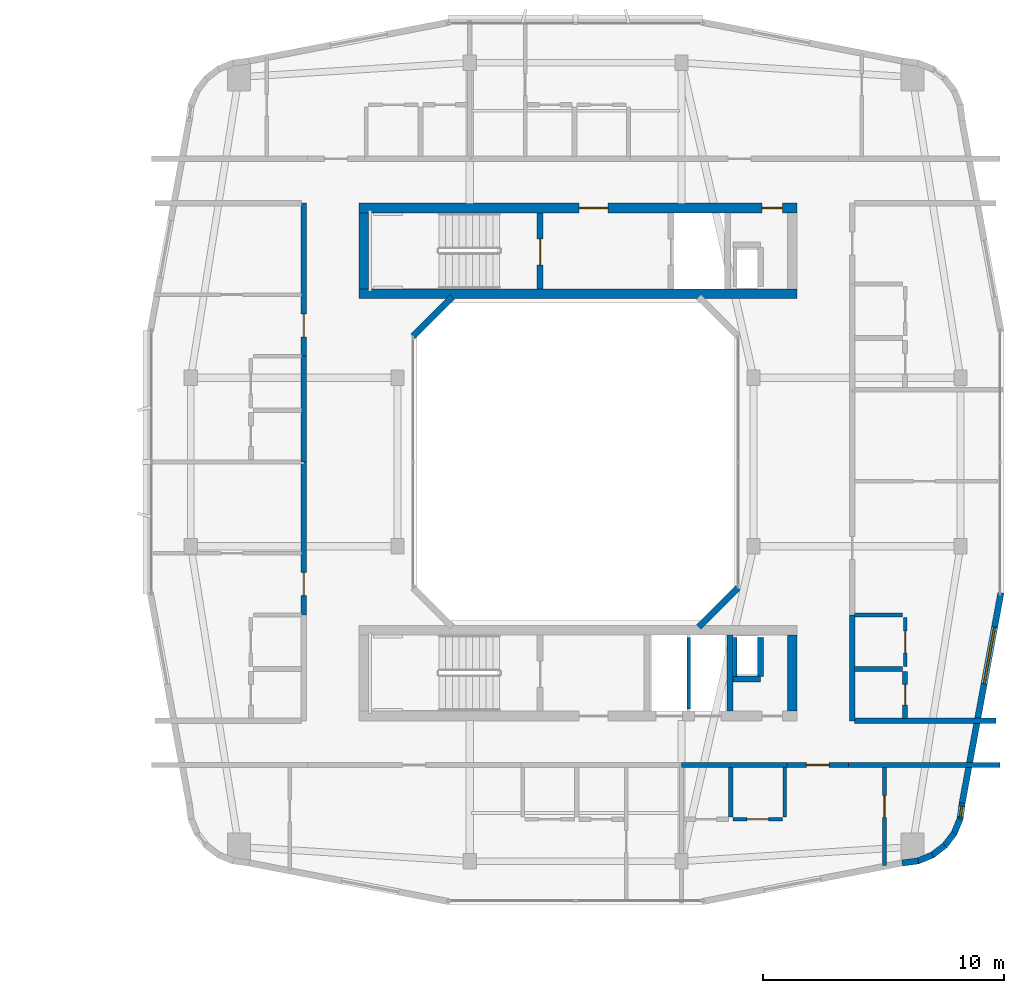
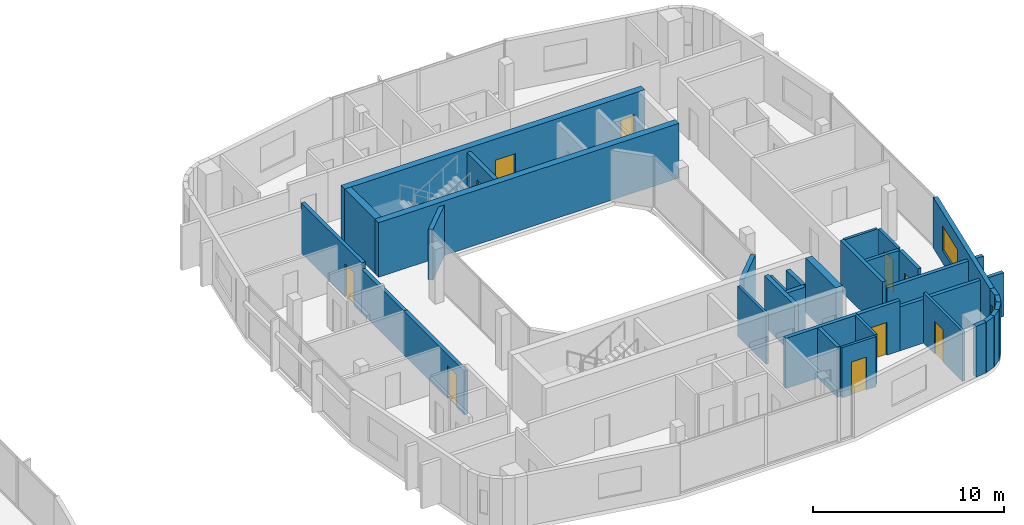
# One storey, part 18 of 26: 35 walls, 10 doors, 2 windows, 12 openings.
"""IFC4 building model written with IfcOpenShell, lengths in metres."""

from ifc_helpers import new_model, si_unit, derived_unit, direction, frame, frame_2d, origin, place, context, subcontext, project, spatial, rectangle, extrude, material, layer, layer_set, type_object, element, fill, save


model = new_model("IFC4")

# Units and contexts
model_context = context("Model", 3, precision=1e-05, world=origin(), true_north=direction((0.0, 1.0)))
body_context = subcontext(model_context, "Body", "Model", "MODEL_VIEW")
ifc_project = project(units=[si_unit("LENGTHUNIT", "METRE"), si_unit("AREAUNIT", "SQUARE_METRE"), si_unit("VOLUMEUNIT", "CUBIC_METRE"), si_unit("PLANEANGLEUNIT", "RADIAN"), si_unit("MASSUNIT", "GRAM", prefix="KILO"), derived_unit("THERMALTRANSMITTANCEUNIT", [(si_unit("POWERUNIT", "WATT"), 1), (si_unit("LENGTHUNIT", "METRE"), -2), (si_unit("THERMODYNAMICTEMPERATUREUNIT", "KELVIN"), -1)])], contexts=[model_context])

# Site, building, storey
site_placement = place(None, origin())
site = spatial("IfcSite", under=ifc_project, at=site_placement, CompositionType="ELEMENT")
building_placement = place(site_placement, origin())
building = spatial("IfcBuilding", under=site, at=building_placement, Name="Kivonza Crest Hotel", CompositionType="ELEMENT")
storey_placement = place(building_placement, frame((0.0, 0.0, 127.5)))
storey = spatial("IfcBuildingStorey", under=building, at=storey_placement, Name="L34", CompositionType="ELEMENT", Elevation=127.5)

# Walls
ifc_material_1 = material(Name="Autoclaved aerated concrete blockwork", Category="masonry")
ifc_layer_1 = layer(ifc_material_1, 0.219970703125)
ifc_layer_set_1 = layer_set([ifc_layer_1], Name="Autoclaved aerated concrete blockwork")
wall_type_1 = type_object("IfcWallType", Name="WL-ACOU-220", PredefinedType="SOLIDWALL", material=ifc_layer_set_1)
wall_1_placement = place(storey_placement, frame((81.39990234375, 12.39990234375, 0.0), z_axis=(0.0, 0.0, 1.0), x_axis=(1.0, 0.0, 0.0)))
element("IfcWall", 1, at=wall_1_placement, inside=storey, type_object=wall_type_1, Name="L34 interior partition WA-L34-A04-LCORR", PredefinedType="SOLIDWALL", context=body_context, shape_type="SweptSolid", body=[
    extrude(rectangle(XDim=4.380126953125, YDim=0.219970703125, at=frame_2d((2.18994140625, 0.0))), origin(), (0.0, 0.0, 1.0), 3.219970703125),
])
wall_2_placement = place(storey_placement, frame((88.35009765625, 12.39990234375, 0.0), z_axis=(0.0, 0.0, 1.0), x_axis=(1.0, 0.0, 0.0)))
element("IfcWall", 2, at=wall_2_placement, inside=storey, type_object=wall_type_1, Name="L34 interior partition WA-L34-A04-RCORR", PredefinedType="SOLIDWALL", context=body_context, shape_type="SweptSolid", body=[
    extrude(rectangle(XDim=6.289794921875, YDim=0.219970703125, at=frame_2d((3.14501953125, 0.0))), origin(), (0.0, 0.0, 1.0), 2.81494140625),
])

# Wall, opening, door
wall_3_placement = place(storey_placement, frame((85.780029296875, 12.39990234375, 0.0), z_axis=(0.0, 0.0, 1.0), x_axis=(1.0, 0.0, 0.0)))
wall_3 = element("IfcWall", 3, at=wall_3_placement, inside=storey, type_object=wall_type_1, Name="L34 interior partition WA-L34-A04-MCORR", PredefinedType="SOLIDWALL", context=body_context, shape_type="SweptSolid", body=[
    extrude(rectangle(XDim=2.570068359375, YDim=0.219970703125, at=frame_2d((1.28515625, 0.0))), origin(), (0.0, 0.0, 1.0), 3.219970703125),
])
opening_1_placement = place(wall_3_placement, frame((0.81005859375, 0.0, 0.0)))
opening_1 = element("IfcOpeningElement", 4, at=opening_1_placement, cuts=wall_3, Name="Opening DU-60", PredefinedType="OPENING", context=body_context, shape_type="SweptSolid", body=[
    extrude(rectangle(XDim=0.949951171875, YDim=2.10009765625, at=frame_2d((0.47509765625, 1.050048828125))), frame((0.0, 0.1201171875, 0.0), z_axis=(0.0, -1.0, 0.0), x_axis=(1.0, 0.0, 0.0)), (0.0, 0.0, 1.0), 0.239990234375),
])
ifc_material_2 = material(Name="Hardwood timber oak", Category="wood")
door_type_1 = type_object("IfcDoorType", Name="DR-UNIT-950", OperationType="NOTDEFINED", PredefinedType="DOOR", material=ifc_material_2)
door_1_placement = place(opening_1_placement, frame((0.949951171875, 0.0, 0.0), z_axis=(0.0, 0.0, 1.0), x_axis=(-1.0, 0.0, 0.0)))
door_1 = element("IfcDoor", 5, at=door_1_placement, inside=storey, type_object=door_type_1, Name="L34 A04 apartment entrance fire door", OperationType="SINGLE_SWING_RIGHT", OverallHeight=2.10009765625, OverallWidth=0.949951171875, PredefinedType="DOOR", context=body_context, shape_type="SweptSolid", body=[
    extrude(rectangle(XDim=0.949951171875, YDim=2.10009765625, at=frame_2d((0.47509765625, 1.050048828125))), frame((0.0, 0.02490234375, 0.0), z_axis=(0.0, -1.0, 0.0), x_axis=(1.0, 0.0, 0.0)), (0.0, 0.0, 1.0), 0.050048828125),
])
fill(opening_1, door_1)

wall_4_placement = place(storey_placement, frame((65.699951171875, 18.639892578125, 0.0), z_axis=(0.0, 0.0, 1.0), x_axis=(0.0, 1.0, 0.0)))
wall_4 = element("IfcWall", 6, at=wall_4_placement, inside=storey, type_object=wall_type_1, Name="L34 interior partition WA-L34-A05-MCORR", PredefinedType="SOLIDWALL", context=body_context, shape_type="SweptSolid", body=[
    extrude(rectangle(XDim=6.360107421875, YDim=0.219970703125, at=frame_2d((3.18017578125, 0.0))), origin(), (0.0, 0.0, 1.0), 2.81494140625),
])
opening_2_placement = place(wall_4_placement, frame((0.804931640625, 0.0, 0.0)))
opening_2 = element("IfcOpeningElement", 7, at=opening_2_placement, cuts=wall_4, Name="Opening DU-60", PredefinedType="OPENING", context=body_context, shape_type="SweptSolid", body=[
    extrude(rectangle(XDim=0.949951171875, YDim=2.10009765625, at=frame_2d((0.47509765625, 1.050048828125))), frame((0.0, 0.1201171875, 0.0), z_axis=(0.0, -1.0, 0.0), x_axis=(1.0, 0.0, 0.0)), (0.0, 0.0, 1.0), 0.239990234375),
])
door_2_placement = place(opening_2_placement, origin())
door_2 = element("IfcDoor", 8, at=door_2_placement, inside=storey, type_object=door_type_1, Name="L34 A05 apartment entrance fire door", OperationType="SINGLE_SWING_LEFT", OverallHeight=2.10009765625, OverallWidth=0.949951171875, PredefinedType="DOOR", context=body_context, shape_type="SweptSolid", body=[
    extrude(rectangle(XDim=0.949951171875, YDim=2.10009765625, at=frame_2d((0.47509765625, 1.050048828125))), frame((0.0, 0.02490234375, 0.0), z_axis=(0.0, -1.0, 0.0), x_axis=(1.0, 0.0, 0.0)), (0.0, 0.0, 1.0), 0.050048828125),
])
fill(opening_2, door_2)

# Wall
wall_5_placement = place(storey_placement, frame((65.699951171875, 25.0, 0.0), z_axis=(0.0, 0.0, 1.0), x_axis=(0.0, 1.0, 0.0)))
element("IfcWall", 9, at=wall_5_placement, inside=storey, type_object=wall_type_1, Name="L34 interior partition WA-L34-A06-BCORR", PredefinedType="SOLIDWALL", context=body_context, shape_type="SweptSolid", body=[
    extrude(rectangle(XDim=4.39990234375, YDim=0.219970703125, at=frame_2d((2.199951171875, 0.0))), origin(), (0.0, 0.0, 1.0), 2.81494140625),
])

# Wall, opening, door
wall_6_placement = place(storey_placement, frame((65.699951171875, 29.39990234375, 0.0), z_axis=(0.0, 0.0, 1.0), x_axis=(0.0, 1.0, 0.0)))
wall_6 = element("IfcWall", 10, at=wall_6_placement, inside=storey, type_object=wall_type_1, Name="L34 interior partition WA-L34-A06-MCORR", PredefinedType="SOLIDWALL", context=body_context, shape_type="SweptSolid", body=[
    extrude(rectangle(XDim=6.360107421875, YDim=0.219970703125, at=frame_2d((3.18017578125, 0.0))), origin(), (0.0, 0.0, 1.0), 3.219970703125),
])
opening_3_placement = place(wall_6_placement, frame((0.804931640625, 0.0, 0.0)))
opening_3 = element("IfcOpeningElement", 11, at=opening_3_placement, cuts=wall_6, Name="Opening DU-60", PredefinedType="OPENING", context=body_context, shape_type="SweptSolid", body=[
    extrude(rectangle(XDim=0.949951171875, YDim=2.10009765625, at=frame_2d((0.47509765625, 1.050048828125))), frame((0.0, 0.1201171875, 0.0), z_axis=(0.0, -1.0, 0.0), x_axis=(1.0, 0.0, 0.0)), (0.0, 0.0, 1.0), 0.239990234375),
])
door_3_placement = place(opening_3_placement, origin())
door_3 = element("IfcDoor", 12, at=door_3_placement, inside=storey, type_object=door_type_1, Name="L34 A06 apartment entrance fire door", OperationType="SINGLE_SWING_RIGHT", OverallHeight=2.10009765625, OverallWidth=0.949951171875, PredefinedType="DOOR", context=body_context, shape_type="SweptSolid", body=[
    extrude(rectangle(XDim=0.949951171875, YDim=2.10009765625, at=frame_2d((0.47509765625, 1.050048828125))), frame((0.0, 0.02490234375, 0.0), z_axis=(0.0, -1.0, 0.0), x_axis=(1.0, 0.0, 0.0)), (0.0, 0.0, 1.0), 0.050048828125),
])
fill(opening_3, door_3)

# Walls
wall_7_placement = place(storey_placement, frame((88.60009765625, 14.239990234375, 0.0), z_axis=(0.0, 0.0, 1.0), x_axis=(1.0, 0.0, 0.0)))
element("IfcWall", 13, at=wall_7_placement, inside=storey, type_object=wall_type_1, Name="L34 interior partition WA-L34-T2E-ENDS", PredefinedType="SOLIDWALL", context=body_context, shape_type="SweptSolid", body=[
    extrude(rectangle(XDim=5.8798828125, YDim=0.219970703125, at=frame_2d((2.93994140625, 0.0))), origin(), (0.0, 0.0, 1.0), 2.81494140625),
])
wall_8_placement = place(storey_placement, frame((88.5, 14.239990234375, 0.0), z_axis=(0.0, 0.0, 1.0), x_axis=(0.0, 1.0, 0.0)))
element("IfcWall", 14, at=wall_8_placement, inside=storey, type_object=wall_type_1, Name="L34 interior partition WA-L34-A07-BCORR", PredefinedType="SOLIDWALL", context=body_context, shape_type="SweptSolid", body=[
    extrude(rectangle(XDim=4.39990234375, YDim=0.219970703125, at=frame_2d((2.199951171875, 0.0))), origin(), (0.0, 0.0, 1.0), 3.219970703125),
])
ifc_material_3 = material(Name="Concrete C50/60", Category="concrete")
ifc_layer_2 = layer(ifc_material_3, 0.39990234375)
ifc_layer_set_2 = layer_set([ifc_layer_2], Name="Concrete C50/60")
wall_type_2 = type_object("IfcWallType", Name="WL-CORE-400", PredefinedType="SHEAR", material=ifc_layer_set_2)
wall_9_placement = place(storey_placement, frame((68.0, 32.0, 0.0), z_axis=(0.0, 0.0, 1.0), x_axis=(1.0, 0.0, 0.0)))
element("IfcWall", 15, at=wall_9_placement, inside=storey, type_object=wall_type_2, Name="Core wall T2-N South L34", PredefinedType="SHEAR", context=body_context, shape_type="SweptSolid", body=[
    extrude(rectangle(XDim=18.199951171875, YDim=0.39990234375, at=frame_2d((9.10009765625, 0.0))), origin(), (0.0, 0.0, 1.0), 3.5),
])

# Wall, openings, doors
wall_10_placement = place(storey_placement, frame((68.0, 35.56005859375, 0.0), z_axis=(0.0, 0.0, 1.0), x_axis=(1.0, 0.0, 0.0)))
wall_10 = element("IfcWall", 16, at=wall_10_placement, inside=storey, type_object=wall_type_2, Name="Core wall T2-N North L34", PredefinedType="SHEAR", context=body_context, shape_type="SweptSolid", body=[
    extrude(rectangle(XDim=18.199951171875, YDim=0.39990234375, at=frame_2d((9.10009765625, 0.0))), origin(), (0.0, 0.0, 1.0), 3.5),
])
opening_4_placement = place(wall_10_placement, frame((9.14990234375, 0.0, 0.0)))
opening_4 = element("IfcOpeningElement", 17, at=opening_4_placement, cuts=wall_10, Name="Opening DF-60", PredefinedType="OPENING", context=body_context, shape_type="SweptSolid", body=[
    extrude(rectangle(XDim=1.199951171875, YDim=2.14990234375, at=frame_2d((0.60009765625, 1.074951171875))), frame((0.0, 0.2099609375, 0.0), z_axis=(0.0, -1.0, 0.0), x_axis=(1.0, 0.0, 0.0)), (0.0, 0.0, 1.0), 0.419921875),
])
opening_5_placement = place(wall_10_placement, frame((16.75, 0.0, 0.0)))
opening_5 = element("IfcOpeningElement", 18, at=opening_5_placement, cuts=wall_10, Name="Opening DF-60R", PredefinedType="OPENING", context=body_context, shape_type="SweptSolid", body=[
    extrude(rectangle(XDim=0.85009765625, YDim=2.10009765625, at=frame_2d((0.425048828125, 1.050048828125))), frame((0.0, 0.2099609375, 0.0), z_axis=(0.0, -1.0, 0.0), x_axis=(1.0, 0.0, 0.0)), (0.0, 0.0, 1.0), 0.419921875),
])
door_type_2 = type_object("IfcDoorType", Name="DR-FD60-1200", OperationType="NOTDEFINED", PredefinedType="DOOR", material=ifc_material_2)
door_4_placement = place(opening_4_placement, origin())
door_4 = element("IfcDoor", 19, at=door_4_placement, inside=storey, type_object=door_type_2, Name="L34 T2-N firefighting lobby fire door", OperationType="SINGLE_SWING_RIGHT", OverallHeight=2.14990234375, OverallWidth=1.199951171875, PredefinedType="DOOR", context=body_context, shape_type="SweptSolid", body=[
    extrude(rectangle(XDim=1.199951171875, YDim=2.14990234375, at=frame_2d((0.60009765625, 1.074951171875))), frame((0.0, 0.02490234375, 0.0), z_axis=(0.0, -1.0, 0.0), x_axis=(1.0, 0.0, 0.0)), (0.0, 0.0, 1.0), 0.050048828125),
])
fill(opening_4, door_4)
door_type_3 = type_object("IfcDoorType", Name="DR-FD60-850", OperationType="NOTDEFINED", PredefinedType="DOOR", material=ifc_material_2)
door_5_placement = place(opening_5_placement, origin())
door_5 = element("IfcDoor", 20, at=door_5_placement, inside=storey, type_object=door_type_3, Name="L34 T2-N core room door", OperationType="SINGLE_SWING_RIGHT", OverallHeight=2.10009765625, OverallWidth=0.85009765625, PredefinedType="DOOR", context=body_context, shape_type="SweptSolid", body=[
    extrude(rectangle(XDim=0.85009765625, YDim=2.10009765625, at=frame_2d((0.425048828125, 1.050048828125))), frame((0.0, 0.02490234375, 0.0), z_axis=(0.0, -1.0, 0.0), x_axis=(1.0, 0.0, 0.0)), (0.0, 0.0, 1.0), 0.050048828125),
])
fill(opening_5, door_5)

# Walls
for number, where, z_axis, x_axis, name in (
    (21, (68.199951171875, 32.199951171875, 0.0), (0.0, 0.0, 1.0), (0.0, 1.0, 0.0), "Core wall T2-N West L34"),
    (22, (86.0, 14.639892578125, 0.0), (0.0, 0.0, 1.0), (0.0, 1.0, 0.0), "Core wall T2-S East L34"),
):
    element("IfcWall", number, at=place(storey_placement, frame(where, z_axis=z_axis, x_axis=x_axis)), inside=storey, type_object=wall_type_2, Name=name, PredefinedType="SHEAR", context=body_context, shape_type="SweptSolid", body=[
        extrude(rectangle(XDim=3.16015625, YDim=0.39990234375, at=frame_2d((1.580078125, 0.0))), origin(), (0.0, 0.0, 1.0), 3.5),
    ])
ifc_material_4 = material(Name="Precast concrete C40/50", Category="concrete")
ifc_layer_3 = layer(ifc_material_4, 0.260009765625)
ifc_layer_set_3 = layer_set([ifc_layer_3], Name="Precast concrete C40/50")
wall_type_3 = type_object("IfcWallType", Name="WL-EXT-260", PredefinedType="STANDARD", material=ifc_layer_set_3)
wall_11_placement = place(storey_placement, frame((90.574951171875, 8.327880859375, 0.0), z_axis=(0.0, 0.0, 1.0), x_axis=(0.991300187529, 0.13162043232, 0.0)))
element("IfcWall", 23, at=wall_11_placement, inside=storey, type_object=wall_type_3, Name="L34 T2 exterior insulated wall 10", PredefinedType="STANDARD", context=body_context, shape_type="SweptSolid", body=[
    extrude(rectangle(XDim=0.677001953125, YDim=0.260009765625, at=frame_2d((0.33837890625, 0.0))), origin(), (0.0, 0.0, 1.0), 3.25),
])
for number, where, z_axis, x_axis, name in (
    (24, (91.199951171875, 8.39892578125, 0.0), (0.0, 0.0, 1.0), (0.924093981904, 0.382165294877, 0.0), "L34 T2 exterior insulated wall 11"),
    (25, (91.801025390625, 8.635986328125, 0.0), (0.0, 0.0, 1.0), (0.792637067512, 0.609693758543, 0.0), "L34 T2 exterior insulated wall 12"),
    (26, (92.320068359375, 9.02099609375, 0.0), (0.0, 0.0, 1.0), (0.609472651958, 0.792807092876, 0.0), "L34 T2 exterior insulated wall 13"),
):
    element("IfcWall", number, at=place(storey_placement, frame(where, z_axis=z_axis, x_axis=x_axis)), inside=storey, type_object=wall_type_3, Name=name, PredefinedType="STANDARD", context=body_context, shape_type="SweptSolid", body=[
        extrude(rectangle(XDim=0.69384765625, YDim=0.260009765625, at=frame_2d((0.346923828125, 0.0))), origin(), (0.0, 0.0, 1.0), 3.25),
    ])
wall_12_placement = place(storey_placement, frame((92.721923828125, 9.527099609375, 0.0), z_axis=(0.0, 0.0, 1.0), x_axis=(0.382289608286, 0.924042561464, 0.0)))
element("IfcWall", 27, at=wall_12_placement, inside=storey, type_object=wall_type_3, Name="L34 T2 exterior insulated wall 14", PredefinedType="STANDARD", context=body_context, shape_type="SweptSolid", body=[
    extrude(rectangle(XDim=0.693603515625, YDim=0.260009765625, at=frame_2d((0.3466796875, 0.0))), origin(), (0.0, 0.0, 1.0), 3.25),
])

# Wall, opening, window
wall_13_placement = place(storey_placement, frame((92.97900390625, 10.118896484375, 0.0), z_axis=(0.0, 0.0, 1.0), x_axis=(0.130614135366, 0.991433279471, 0.0)))
wall_13 = element("IfcWall", 28, at=wall_13_placement, inside=storey, type_object=wall_type_3, Name="L34 T2 exterior insulated wall 15", PredefinedType="STANDARD", context=body_context, shape_type="SweptSolid", body=[
    extrude(rectangle(XDim=0.712158203125, YDim=0.260009765625, at=frame_2d((0.35595703125, 0.0))), origin(), (0.0, 0.0, 1.0), 3.25),
])
opening_6_placement = place(wall_13_placement, frame((0.131103515625, 0.0, 0.85009765625)))
opening_6 = element("IfcOpeningElement", 29, at=opening_6_placement, cuts=wall_13, Name="Opening WN-11", PredefinedType="OPENING", context=body_context, shape_type="SweptSolid", body=[
    extrude(rectangle(XDim=0.449951171875, YDim=1.5, at=frame_2d((0.22509765625, 0.75))), frame((0.0, 0.14013671875, 0.0), z_axis=(0.0, -1.0, 0.0), x_axis=(1.0, 0.0, 0.0)), (0.0, 0.0, 1.0), 0.280029296875),
])
ifc_material_5 = material(Name="Thermally broken bronze aluminium and low-E double glazing", Category="aluminium")
window_type_1 = type_object("IfcWindowType", Name="WN-045x150", PartitioningType="SINGLE_PANEL", PredefinedType="WINDOW", material=ifc_material_5)
window_1_placement = place(opening_6_placement, origin())
window_1 = element("IfcWindow", 30, at=window_1_placement, inside=storey, type_object=window_type_1, Name="L34 corner vision window 7", OverallHeight=1.5, OverallWidth=0.449951171875, PartitioningType="SINGLE_PANEL", PredefinedType="WINDOW", context=body_context, shape_type="SweptSolid", body=[
    extrude(rectangle(XDim=0.449951171875, YDim=1.5, at=frame_2d((0.22509765625, 0.75))), frame((0.0, 0.030029296875, 0.0), z_axis=(0.0, -1.0, 0.0), x_axis=(1.0, 0.0, 0.0)), (0.0, 0.0, 1.0), 0.06005859375),
])
fill(opening_6, window_1)

wall_14_placement = place(storey_placement, frame((93.071044921875, 10.81591796875, 0.0), z_axis=(0.0, 0.0, 1.0), x_axis=(0.181209963057, 0.983444431215, 0.0)))
wall_14 = element("IfcWall", 31, at=wall_14_placement, inside=storey, type_object=wall_type_3, Name="L34 T2 exterior insulated wall 16", PredefinedType="STANDARD", context=body_context, shape_type="SweptSolid", body=[
    extrude(rectangle(XDim=8.889404296875, YDim=0.260009765625, at=frame_2d((4.44482421875, 0.0))), origin(), (0.0, 0.0, 1.0), 3.25),
])
opening_7_placement = place(wall_14_placement, frame((5.044921875, 0.0, 0.800048828125)))
opening_7 = element("IfcOpeningElement", 32, at=opening_7_placement, cuts=wall_14, Name="Opening WN-05", PredefinedType="OPENING", context=body_context, shape_type="SweptSolid", body=[
    extrude(rectangle(XDim=2.39990234375, YDim=1.60009765625, at=frame_2d((1.199951171875, 0.800048828125))), frame((0.0, 0.14013671875, 0.0), z_axis=(0.0, -1.0, 0.0), x_axis=(1.0, 0.0, 0.0)), (0.0, 0.0, 1.0), 0.280029296875),
])
window_type_2 = type_object("IfcWindowType", Name="WN-240x160", PartitioningType="TRIPLE_PANEL_VERTICAL", PredefinedType="WINDOW", material=ifc_material_5)
window_2_placement = place(opening_7_placement, origin())
window_2 = element("IfcWindow", 33, at=window_2_placement, inside=storey, type_object=window_type_2, Name="L34 T2 facade window 16", OverallHeight=1.60009765625, OverallWidth=2.39990234375, PartitioningType="SINGLE_PANEL", PredefinedType="WINDOW", context=body_context, shape_type="SweptSolid", body=[
    extrude(rectangle(XDim=2.39990234375, YDim=1.60009765625, at=frame_2d((1.199951171875, 0.800048828125))), frame((0.0, 0.030029296875, 0.0), z_axis=(0.0, -1.0, 0.0), x_axis=(1.0, 0.0, 0.0)), (0.0, 0.0, 1.0), 0.06005859375),
])
fill(opening_7, window_2)

# Walls
for number, where, z_axis, x_axis, name in (
    (34, (82.1220703125, 18.137939453125, 0.0), (0.0, 0.0, 1.0), (0.707106781187, 0.707106781187, 0.0), "L34 T2 light-well exterior wall 2"),
    (35, (71.8779296875, 31.862060546875, 0.0), (0.0, 0.0, 1.0), (-0.707106781187, -0.707106781187, 0.0), "L34 T2 light-well exterior wall 6"),
):
    element("IfcWall", number, at=place(storey_placement, frame(where, z_axis=z_axis, x_axis=x_axis)), inside=storey, type_object=wall_type_3, Name=name, PredefinedType="STANDARD", context=body_context, shape_type="SweptSolid", body=[
        extrude(rectangle(XDim=2.310791015625, YDim=0.260009765625, at=frame_2d((1.1552734375, 0.0))), origin(), (0.0, 0.0, 1.0), 3.25),
    ])
ifc_material_6 = material(Name="Concrete blockwork fire-compartment wall", Category="masonry")
ifc_layer_4 = layer(ifc_material_6, 0.25)
ifc_layer_set_4 = layer_set([ifc_layer_4], Name="Concrete blockwork fire-compartment wall")
wall_type_4 = type_object("IfcWallType", Name="WL-FIRE-250", PredefinedType="SOLIDWALL", material=ifc_layer_set_4)
wall_15_placement = place(storey_placement, frame((84.679931640625, 16.080078125, 0.0), z_axis=(0.0, 0.0, 1.0), x_axis=(0.0, 1.0, 0.0)))
element("IfcWall", 36, at=wall_15_placement, inside=storey, type_object=wall_type_4, Name="L34 interior partition WA-L34-T2-S-MEPR-E", PredefinedType="SOLIDWALL", context=body_context, shape_type="SweptSolid", body=[
    extrude(rectangle(XDim=1.619873046875, YDim=0.25, at=frame_2d((0.81005859375, 0.0))), origin(), (0.0, 0.0, 1.0), 3.219970703125),
])
wall_16_placement = place(storey_placement, frame((83.550048828125, 15.97998046875, 0.0), z_axis=(0.0, 0.0, 1.0), x_axis=(1.0, 0.0, 0.0)))
element("IfcWall", 37, at=wall_16_placement, inside=storey, type_object=wall_type_4, Name="L34 interior partition WA-L34-T2-S-MEPR-H", PredefinedType="SOLIDWALL", context=body_context, shape_type="SweptSolid", body=[
    extrude(rectangle(XDim=1.1298828125, YDim=0.25, at=frame_2d((0.56494140625, 0.0))), origin(), (0.0, 0.0, 1.0), 3.219970703125),
])
ifc_material_7 = material(Name="Twin-stud acoustic gypsum board partition", Category="gypsum")
ifc_layer_5 = layer(ifc_material_7, 0.14990234375)
ifc_layer_set_5 = layer_set([ifc_layer_5], Name="Twin-stud acoustic gypsum board partition")
wall_type_5 = type_object("IfcWallType", Name="WL-PART-150", PredefinedType="PARTITIONING", material=ifc_layer_set_5)
wall_17_placement = place(storey_placement, frame((83.6298828125, 16.080078125, 0.0), z_axis=(0.0, 0.0, 1.0), x_axis=(0.0, 1.0, 0.0)))
element("IfcWall", 38, at=wall_17_placement, inside=storey, type_object=wall_type_5, Name="L34 interior partition WA-L34-T2-S-MEPR-W", PredefinedType="PARTITIONING", context=body_context, shape_type="SweptSolid", body=[
    extrude(rectangle(XDim=1.619873046875, YDim=0.14990234375, at=frame_2d((0.81005859375, 0.0))), origin(), (0.0, 0.0, 1.0), 3.219970703125),
])
wall_18_placement = place(storey_placement, frame((81.699951171875, 14.739990234375, 0.0), z_axis=(0.0, 0.0, 1.0), x_axis=(0.0, 1.0, 0.0)))
element("IfcWall", 39, at=wall_18_placement, inside=storey, type_object=wall_type_5, Name="L34 interior partition WP-L34-T2-S-BSH-1", PredefinedType="PARTITIONING", context=body_context, shape_type="SweptSolid", body=[
    extrude(rectangle(XDim=2.9599609375, YDim=0.14990234375, at=frame_2d((1.47998046875, 0.0))), origin(), (0.0, 0.0, 1.0), 3.219970703125),
])

# Wall, opening, door
wall_19_placement = place(storey_placement, frame((89.840087890625, 8.214111328125, 0.0), z_axis=(0.0, 0.0, 1.0), x_axis=(0.0, 1.0, 0.0)))
wall_19 = element("IfcWall", 40, at=wall_19_placement, inside=storey, type_object=wall_type_5, Name="L34 interior partition WP-L34-A04-BDW1", PredefinedType="PARTITIONING", context=body_context, shape_type="SweptSolid", body=[
    extrude(rectangle(XDim=4.0859375, YDim=0.14990234375, at=frame_2d((2.04296875, 0.0))), origin(), (0.0, 0.0, 1.0), 3.219970703125),
])
opening_8_placement = place(wall_19_placement, frame((2.010009765625, 0.0, 0.0)))
opening_8 = element("IfcOpeningElement", 41, at=opening_8_placement, cuts=wall_19, Name="Opening DI-90", PredefinedType="OPENING", context=body_context, shape_type="SweptSolid", body=[
    extrude(rectangle(XDim=0.89990234375, YDim=2.10009765625, at=frame_2d((0.449951171875, 1.050048828125))), frame((0.0, 0.0849609375, 0.0), z_axis=(0.0, -1.0, 0.0), x_axis=(1.0, 0.0, 0.0)), (0.0, 0.0, 1.0), 0.169921875),
])
door_type_4 = type_object("IfcDoorType", Name="DR-INT-900", OperationType="NOTDEFINED", PredefinedType="DOOR", material=ifc_material_2)
door_6_placement = place(opening_8_placement, origin())
door_6 = element("IfcDoor", 42, at=door_6_placement, inside=storey, type_object=door_type_4, Name="L34 A04 bedroom 1 door", OperationType="SINGLE_SWING_LEFT", OverallHeight=2.10009765625, OverallWidth=0.89990234375, PredefinedType="DOOR", context=body_context, shape_type="SweptSolid", body=[
    extrude(rectangle(XDim=0.89990234375, YDim=2.10009765625, at=frame_2d((0.449951171875, 1.050048828125))), frame((0.0, 0.02490234375, 0.0), z_axis=(0.0, -1.0, 0.0), x_axis=(1.0, 0.0, 0.0)), (0.0, 0.0, 1.0), 0.050048828125),
])
fill(opening_8, door_6)

# Wall
wall_20_placement = place(storey_placement, frame((85.699951171875, 10.25, 0.0), z_axis=(0.0, 0.0, 1.0), x_axis=(0.0, 1.0, 0.0)))
element("IfcWall", 43, at=wall_20_placement, inside=storey, type_object=wall_type_5, Name="L34 interior partition WP-L34-A04-KF", PredefinedType="PARTITIONING", context=body_context, shape_type="SweptSolid", body=[
    extrude(rectangle(XDim=2.050048828125, YDim=0.14990234375, at=frame_2d((1.02490234375, 0.0))), origin(), (0.0, 0.0, 1.0), 3.219970703125),
])

# Wall, opening, door
wall_21_placement = place(storey_placement, frame((83.550048828125, 10.14990234375, 0.0), z_axis=(0.0, 0.0, 1.0), x_axis=(1.0, 0.0, 0.0)))
wall_21 = element("IfcWall", 44, at=wall_21_placement, inside=storey, type_object=wall_type_5, Name="L34 interior partition WP-L34-A04-KSVC", PredefinedType="PARTITIONING", context=body_context, shape_type="SweptSolid", body=[
    extrude(rectangle(XDim=2.050048828125, YDim=0.14990234375, at=frame_2d((1.02490234375, 0.0))), origin(), (0.0, 0.0, 1.0), 3.219970703125),
])
opening_9_placement = place(wall_21_placement, frame((0.574951171875, 0.0, 0.0)))
opening_9 = element("IfcOpeningElement", 45, at=opening_9_placement, cuts=wall_21, Name="Opening DI-90", PredefinedType="OPENING", context=body_context, shape_type="SweptSolid", body=[
    extrude(rectangle(XDim=0.89990234375, YDim=2.10009765625, at=frame_2d((0.449951171875, 1.050048828125))), frame((0.0, 0.0849609375, 0.0), z_axis=(0.0, -1.0, 0.0), x_axis=(1.0, 0.0, 0.0)), (0.0, 0.0, 1.0), 0.169921875),
])
door_7_placement = place(opening_9_placement, frame((0.89990234375, 0.0, 0.0), z_axis=(0.0, 0.0, 1.0), x_axis=(-1.0, 0.0, 0.0)))
door_7 = element("IfcDoor", 46, at=door_7_placement, inside=storey, type_object=door_type_4, Name="L34 A04 apartment kitchen door", OperationType="SINGLE_SWING_RIGHT", OverallHeight=2.10009765625, OverallWidth=0.89990234375, PredefinedType="DOOR", context=body_context, shape_type="SweptSolid", body=[
    extrude(rectangle(XDim=0.89990234375, YDim=2.10009765625, at=frame_2d((0.449951171875, 1.050048828125))), frame((0.0, 0.02490234375, 0.0), z_axis=(0.0, -1.0, 0.0), x_axis=(1.0, 0.0, 0.0)), (0.0, 0.0, 1.0), 0.050048828125),
])
fill(opening_9, door_7)

# Wall
wall_22_placement = place(storey_placement, frame((88.60009765625, 18.639892578125, 0.0), z_axis=(0.0, 0.0, 1.0), x_axis=(1.0, 0.0, 0.0)))
element("IfcWall", 47, at=wall_22_placement, inside=storey, type_object=wall_type_5, Name="L34 interior partition WP-L34-A07-KF", PredefinedType="PARTITIONING", context=body_context, shape_type="SweptSolid", body=[
    extrude(rectangle(XDim=2.0, YDim=0.14990234375, at=frame_2d((1.0, 0.0))), origin(), (0.0, 0.0, 1.0), 3.219970703125),
])

# Wall, opening, door
wall_23_placement = place(storey_placement, frame((90.699951171875, 16.489990234375, 0.0), z_axis=(0.0, 0.0, 1.0), x_axis=(0.0, 1.0, 0.0)))
wall_23 = element("IfcWall", 48, at=wall_23_placement, inside=storey, type_object=wall_type_5, Name="L34 interior partition WP-L34-A07-KSVC", PredefinedType="PARTITIONING", context=body_context, shape_type="SweptSolid", body=[
    extrude(rectangle(XDim=2.050048828125, YDim=0.14990234375, at=frame_2d((1.02490234375, 0.0))), origin(), (0.0, 0.0, 1.0), 3.219970703125),
])
opening_10_placement = place(wall_23_placement, frame((0.574951171875, 0.0, 0.0)))
opening_10 = element("IfcOpeningElement", 49, at=opening_10_placement, cuts=wall_23, Name="Opening DI-90", PredefinedType="OPENING", context=body_context, shape_type="SweptSolid", body=[
    extrude(rectangle(XDim=0.89990234375, YDim=2.10009765625, at=frame_2d((0.449951171875, 1.050048828125))), frame((0.0, 0.0849609375, 0.0), z_axis=(0.0, -1.0, 0.0), x_axis=(1.0, 0.0, 0.0)), (0.0, 0.0, 1.0), 0.169921875),
])
door_8_placement = place(opening_10_placement, frame((0.89990234375, 0.0, 0.0), z_axis=(0.0, 0.0, 1.0), x_axis=(-1.0, 0.0, 0.0)))
door_8 = element("IfcDoor", 50, at=door_8_placement, inside=storey, type_object=door_type_4, Name="L34 A07 apartment kitchen door", OperationType="SINGLE_SWING_LEFT", OverallHeight=2.10009765625, OverallWidth=0.89990234375, PredefinedType="DOOR", context=body_context, shape_type="SweptSolid", body=[
    extrude(rectangle(XDim=0.89990234375, YDim=2.10009765625, at=frame_2d((0.449951171875, 1.050048828125))), frame((0.0, 0.02490234375, 0.0), z_axis=(0.0, -1.0, 0.0), x_axis=(1.0, 0.0, 0.0)), (0.0, 0.0, 1.0), 0.050048828125),
])
fill(opening_10, door_8)

# Walls
ifc_material_8 = material(Name="Moisture-resistant plumbing chase partition wall", Category="gypsum")
ifc_layer_6 = layer(ifc_material_8, 0.199951171875)
ifc_layer_set_6 = layer_set([ifc_layer_6], Name="Moisture-resistant plumbing chase partition wall")
wall_type_6 = type_object("IfcWallType", Name="WL-PLUMB-200", PredefinedType="PLUMBINGWALL", material=ifc_layer_set_6)
wall_24_placement = place(storey_placement, frame((83.449951171875, 10.25, 0.0), z_axis=(0.0, 0.0, 1.0), x_axis=(0.0, 1.0, 0.0)))
element("IfcWall", 51, at=wall_24_placement, inside=storey, type_object=wall_type_6, Name="L34 interior partition WW-L34-A04-BK", PredefinedType="PLUMBINGWALL", context=body_context, shape_type="SweptSolid", body=[
    extrude(rectangle(XDim=2.050048828125, YDim=0.199951171875, at=frame_2d((1.02490234375, 0.0))), origin(), (0.0, 0.0, 1.0), 3.219970703125),
])
wall_25_placement = place(storey_placement, frame((88.60009765625, 16.389892578125, 0.0), z_axis=(0.0, 0.0, 1.0), x_axis=(1.0, 0.0, 0.0)))
element("IfcWall", 52, at=wall_25_placement, inside=storey, type_object=wall_type_6, Name="L34 interior partition WW-L34-A07-BK", PredefinedType="PLUMBINGWALL", context=body_context, shape_type="SweptSolid", body=[
    extrude(rectangle(XDim=2.0, YDim=0.199951171875, at=frame_2d((1.0, 0.0))), origin(), (0.0, 0.0, 1.0), 3.219970703125),
])

# Wall, opening, door
wall_26_placement = place(storey_placement, frame((90.699951171875, 14.340087890625, 0.0), z_axis=(0.0, 0.0, 1.0), x_axis=(0.0, 1.0, 0.0)))
wall_26 = element("IfcWall", 53, at=wall_26_placement, inside=storey, type_object=wall_type_6, Name="L34 interior partition WW-L34-A07-BSVC", PredefinedType="PLUMBINGWALL", context=body_context, shape_type="SweptSolid", body=[
    extrude(rectangle(XDim=1.949951171875, YDim=0.199951171875, at=frame_2d((0.97509765625, 0.0))), origin(), (0.0, 0.0, 1.0), 3.219970703125),
])
opening_11_placement = place(wall_26_placement, frame((0.550048828125, 0.0, 0.0)))
opening_11 = element("IfcOpeningElement", 54, at=opening_11_placement, cuts=wall_26, Name="Opening DI-85", PredefinedType="OPENING", context=body_context, shape_type="SweptSolid", body=[
    extrude(rectangle(XDim=0.85009765625, YDim=2.10009765625, at=frame_2d((0.425048828125, 1.050048828125))), frame((0.0, 0.10986328125, 0.0), z_axis=(0.0, -1.0, 0.0), x_axis=(1.0, 0.0, 0.0)), (0.0, 0.0, 1.0), 0.219970703125),
])
door_type_5 = type_object("IfcDoorType", Name="DR-INT-850", OperationType="NOTDEFINED", PredefinedType="DOOR", material=ifc_material_2)
door_9_placement = place(opening_11_placement, frame((0.85009765625, 0.0, 0.0), z_axis=(0.0, 0.0, 1.0), x_axis=(-1.0, 0.0, 0.0)))
door_9 = element("IfcDoor", 55, at=door_9_placement, inside=storey, type_object=door_type_5, Name="L34 A07 apartment bathroom door", OperationType="SINGLE_SWING_RIGHT", OverallHeight=2.10009765625, OverallWidth=0.85009765625, PredefinedType="DOOR", context=body_context, shape_type="SweptSolid", body=[
    extrude(rectangle(XDim=0.85009765625, YDim=2.10009765625, at=frame_2d((0.425048828125, 1.050048828125))), frame((0.0, 0.02490234375, 0.0), z_axis=(0.0, -1.0, 0.0), x_axis=(1.0, 0.0, 0.0)), (0.0, 0.0, 1.0), 0.050048828125),
])
fill(opening_11, door_9)

ifc_layer_7 = layer(ifc_material_3, 0.25)
ifc_layer_set_7 = layer_set([ifc_layer_7], Name="Concrete C50/60")
wall_type_7 = type_object("IfcWallType", Name="WL-SHAFT-250", PredefinedType="STANDARD", material=ifc_layer_set_7)
wall_27_placement = place(storey_placement, frame((75.52490234375, 32.199951171875, 0.0), z_axis=(0.0, 0.0, 1.0), x_axis=(0.0, 1.0, 0.0)))
wall_27 = element("IfcWall", 56, at=wall_27_placement, inside=storey, type_object=wall_type_7, Name="Core shaft wall T2-N STAIR L34", PredefinedType="STANDARD", context=body_context, shape_type="SweptSolid", body=[
    extrude(rectangle(XDim=3.16015625, YDim=0.25, at=frame_2d((1.580078125, 0.0))), origin(), (0.0, 0.0, 1.0), 3.25),
])
opening_12_placement = place(wall_27_placement, frame((0.97998046875, 0.0, 0.0)))
opening_12 = element("IfcOpeningElement", 57, at=opening_12_placement, cuts=wall_27, Name="Opening DF-120", PredefinedType="OPENING", context=body_context, shape_type="SweptSolid", body=[
    extrude(rectangle(XDim=1.10009765625, YDim=2.14990234375, at=frame_2d((0.550048828125, 1.074951171875))), frame((0.0, 0.135009765625, 0.0), z_axis=(0.0, -1.0, 0.0), x_axis=(1.0, 0.0, 0.0)), (0.0, 0.0, 1.0), 0.27001953125),
])
ifc_material_9 = material(Name="Galvanised steel", Category="steel")
door_type_6 = type_object("IfcDoorType", Name="DR-FD120-1100", OperationType="NOTDEFINED", PredefinedType="DOOR", material=ifc_material_9)
door_10_placement = place(opening_12_placement, frame((1.10009765625, 0.0, 0.0), z_axis=(0.0, 0.0, 1.0), x_axis=(-1.0, 0.0, 0.0)))
door_10 = element("IfcDoor", 58, at=door_10_placement, inside=storey, type_object=door_type_6, Name="L34 T2-N stair fire door", OperationType="SINGLE_SWING_LEFT", OverallHeight=2.14990234375, OverallWidth=1.10009765625, PredefinedType="DOOR", context=body_context, shape_type="SweptSolid", body=[
    extrude(rectangle(XDim=1.10009765625, YDim=2.14990234375, at=frame_2d((0.550048828125, 1.074951171875))), frame((0.0, 0.02490234375, 0.0), z_axis=(0.0, -1.0, 0.0), x_axis=(1.0, 0.0, 0.0)), (0.0, 0.0, 1.0), 0.050048828125),
])
fill(opening_12, door_10)

# Wall
wall_28_placement = place(storey_placement, frame((83.425048828125, 14.639892578125, 0.0), z_axis=(0.0, 0.0, 1.0), x_axis=(0.0, 1.0, 0.0)))
element("IfcWall", 59, at=wall_28_placement, inside=storey, type_object=wall_type_7, Name="Core shaft wall T2-S BANK-E L34", PredefinedType="STANDARD", context=body_context, shape_type="SweptSolid", body=[
    extrude(rectangle(XDim=3.16015625, YDim=0.25, at=frame_2d((1.580078125, 0.0))), origin(), (0.0, 0.0, 1.0), 3.25),
])

save(model, "model.ifc")
